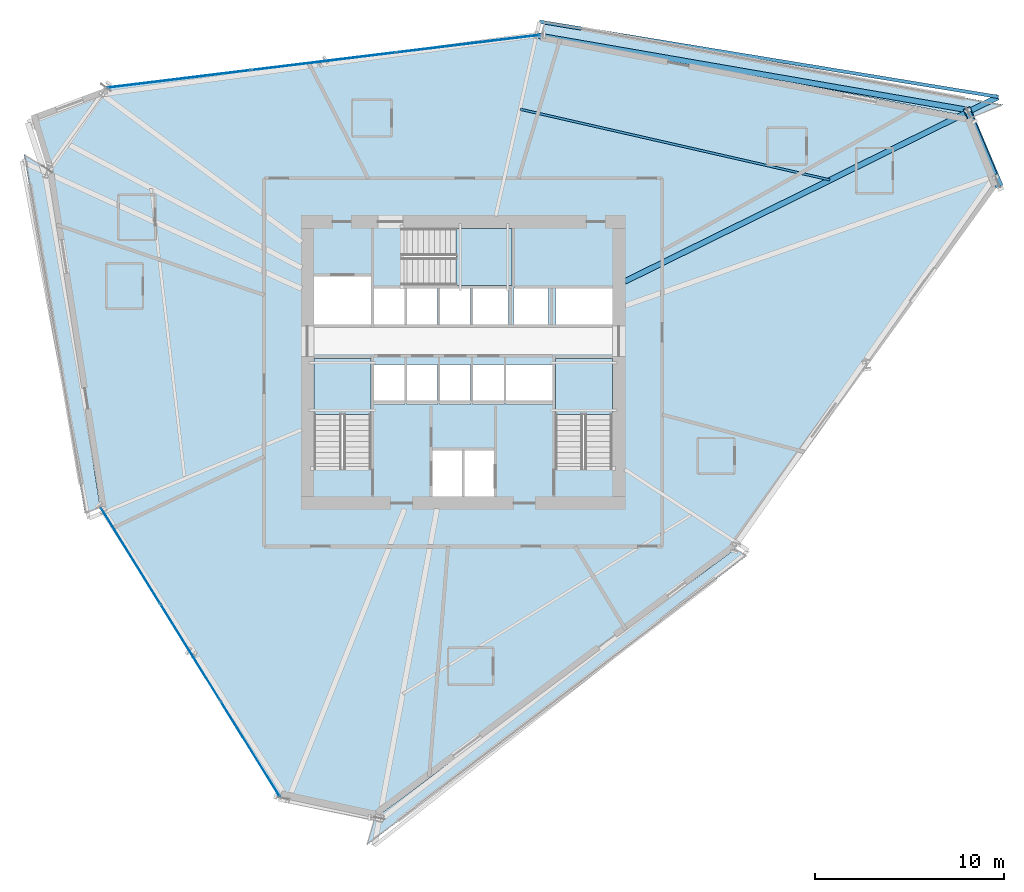
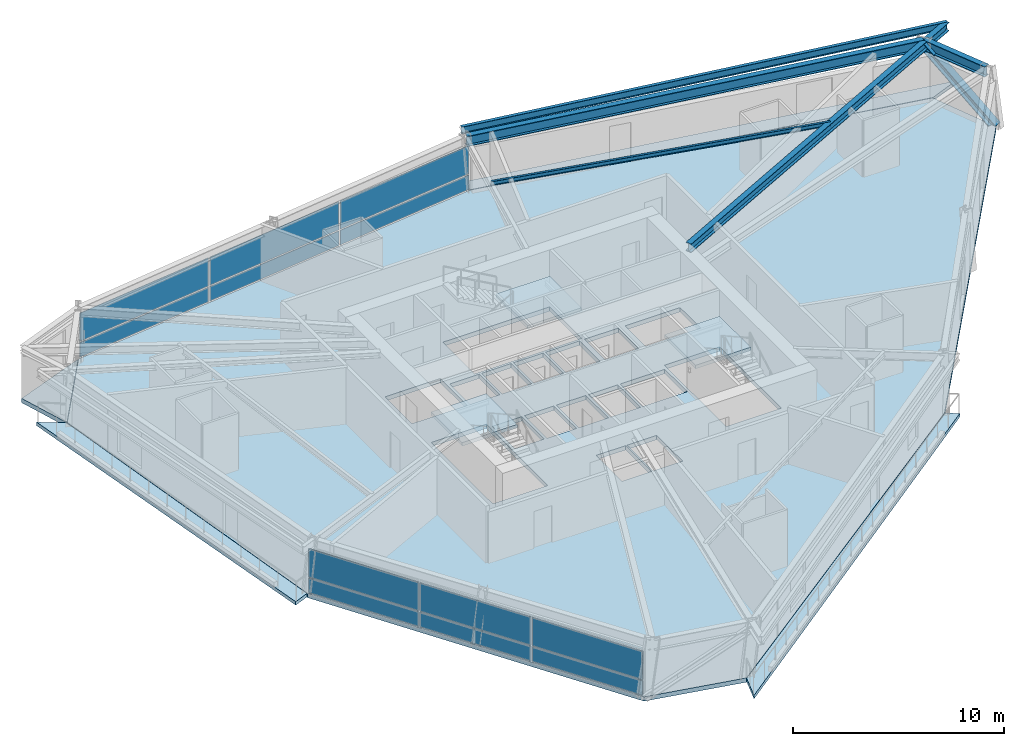
# One storey, part 9 of 18: 12 plates, 8 slabs, 5 beams, 1 member, 5 elements without a shape of their own.
"""IFC4 building model written with IfcOpenShell, lengths in metres."""

from ifc_helpers import new_model, si_unit, direction, frame, origin, origin_2d, place, context, subcontext, project, spatial, polyline, rectangle, i_section, outline, extrude, source, transform, mapped, material, layer, layer_set, material_profile, profile_set, type_object, element, aggregate, save


model = new_model("IFC4")

# Units and contexts
model_context = context("Model", 3, precision=1e-05, world=origin(), true_north=direction((0.0, 1.0)))
body_context = subcontext(model_context, "Body", "Model", "MODEL_VIEW")
ifc_project = project(units=[si_unit("LENGTHUNIT", "METRE"), si_unit("AREAUNIT", "SQUARE_METRE"), si_unit("VOLUMEUNIT", "CUBIC_METRE"), si_unit("PLANEANGLEUNIT", "RADIAN"), si_unit("MASSUNIT", "GRAM", prefix="KILO")], contexts=[model_context])

# Site, building, storey
site_placement = place(None, origin())
site = spatial("IfcSite", under=ifc_project, at=site_placement, CompositionType="ELEMENT")
building_placement = place(site_placement, origin())
building = spatial("IfcBuilding", under=site, at=building_placement, Name="Olszyna Solenne Hotel", CompositionType="ELEMENT")
storey_placement = place(building_placement, frame((0.0, 0.0, 123.449951171875)))
storey = spatial("IfcBuildingStorey", under=building, at=storey_placement, Name="L32", CompositionType="ELEMENT", Elevation=123.449951171875)

# Beams
ifc_material_1 = material(Name="Steel S355J2", Category="steel")
ifc_material_profile_1 = material_profile(ifc_material_1, i_section(OverallWidth=0.300048828125, OverallDepth=0.60009765625, WebThickness=0.015380859375, FlangeThickness=0.030029296875, at=origin_2d()), Name="HEB 600", Category="load-bearing")
ifc_profile_set_1 = profile_set([ifc_material_profile_1], Name="Steel S355J2")
beam_type_1 = type_object("IfcBeamType", Name="BM-S2", PredefinedType="BEAM", material=ifc_profile_set_1)
shared_shape_1 = source(origin(), body_context, "Body", "SweptSolid", [
    extrude(i_section(OverallWidth=0.300048828125, OverallDepth=0.60009765625, WebThickness=0.015380859375, FlangeThickness=0.030029296875, at=origin_2d()), origin(), (0.0, 0.0, 1.0), 3.6689453125),
])
beam_1_placement = place(storey_placement, frame((66.141357421875, 36.530029296875, 3.0), z_axis=(-0.385139776501, 0.922858251606, 0.0), x_axis=(-0.922858251606, -0.385139776501, 0.0)))
element("IfcBeam", 1, at=beam_1_placement, inside=storey, type_object=beam_type_1, Name="Perimeter spandrel beam BM-S2 B-L32-0957", PredefinedType="BEAM", context=body_context, shape_type="MappedRepresentation", body=[
    mapped(shared_shape_1, transform((0.0, 0.0, 0.0), x_axis=(1.0, 0.0, 0.0), y_axis=(0.0, 1.0, 0.0), z_axis=(0.0, 0.0, 1.0), scale=1.0)),
])
shared_shape_2 = source(origin(), body_context, "Body", "SweptSolid", [
    extrude(i_section(OverallWidth=0.300048828125, OverallDepth=0.60009765625, WebThickness=0.015380859375, FlangeThickness=0.030029296875, at=origin_2d()), origin(), (0.0, 0.0, 1.0), 23.07763671875),
])
beam_2_placement = place(storey_placement, frame((64.64599609375, 39.9814453125, 3.0), z_axis=(-0.985342299699, 0.170588840269, 0.0), x_axis=(-0.170588840269, -0.985342299699, 0.0)))
element("IfcBeam", 2, at=beam_2_placement, inside=storey, type_object=beam_type_1, Name="Perimeter spandrel beam BM-S2 B-L32-0958", PredefinedType="BEAM", context=body_context, shape_type="MappedRepresentation", body=[
    mapped(shared_shape_2, transform((0.0, 0.0, 0.0), x_axis=(1.0, 0.0, 0.0), y_axis=(0.0, 1.0, 0.0), z_axis=(0.0, 0.0, 1.0), scale=1.0)),
])
ifc_material_profile_2 = material_profile(ifc_material_1, i_section(OverallWidth=0.300048828125, OverallDepth=0.489990234375, WebThickness=0.011962890625, FlangeThickness=0.02294921875, at=origin_2d()), Name="HEA 500", Category="load-bearing")
ifc_profile_set_2 = profile_set([ifc_material_profile_2], Name="Steel S355J2")
beam_type_2 = type_object("IfcBeamType", Name="BM-G1", PredefinedType="BEAM", material=ifc_profile_set_2)
shared_shape_3 = source(origin(), body_context, "Body", "SweptSolid", [
    extrude(i_section(OverallWidth=0.300048828125, OverallDepth=0.489990234375, WebThickness=0.011962890625, FlangeThickness=0.02294921875, at=origin_2d()), origin(), (0.0, 0.0, 1.0), 22.055419921875),
])
beam_3_placement = place(storey_placement, frame((66.32763671875, 40.656005859375, 3.054931640625), z_axis=(-0.896478816914, -0.443086595175, 0.0), x_axis=(0.443086595175, -0.896478816914, 0.0)))
element("IfcBeam", 3, at=beam_3_placement, inside=storey, type_object=beam_type_2, Name="Radial floor girder BM-G1 B-L32-0970", PredefinedType="BEAM", context=body_context, shape_type="MappedRepresentation", body=[
    mapped(shared_shape_3, transform((0.0, 0.0, 0.0), x_axis=(1.0, 0.0, 0.0), y_axis=(0.0, 1.0, 0.0), z_axis=(0.0, 0.0, 1.0), scale=1.0)),
])
ifc_material_profile_3 = material_profile(ifc_material_1, i_section(OverallWidth=0.1201171875, OverallDepth=0.239990234375, WebThickness=0.006103515625, FlangeThickness=0.009765625, at=origin_2d()), Name="IPE 240", Category="load-bearing")
ifc_profile_set_3 = profile_set([ifc_material_profile_3], Name="Steel S355J2")
beam_type_3 = type_object("IfcBeamType", Name="JS-03", PredefinedType="JOIST", material=ifc_profile_set_3)
shared_shape_4 = source(origin(), body_context, "Body", "SweptSolid", [
    extrude(i_section(OverallWidth=0.1201171875, OverallDepth=0.239990234375, WebThickness=0.006103515625, FlangeThickness=0.009765625, at=origin_2d()), origin(), (0.0, 0.0, 1.0), 16.8232421875),
])
beam_4_placement = place(storey_placement, frame((57.42041015625, 36.267578125, 3.179931640625), z_axis=(-0.974939322982, 0.222470934063, 0.0), x_axis=(-0.222470934063, -0.974939322982, 0.0)))
element("IfcBeam", 4, at=beam_4_placement, inside=storey, type_object=beam_type_3, Name="Secondary composite floor joist JS-03 B-L32-0981", PredefinedType="JOIST", context=body_context, shape_type="MappedRepresentation", body=[
    mapped(shared_shape_4, transform((0.0, 0.0, 0.0), x_axis=(1.0, 0.0, 0.0), y_axis=(0.0, 1.0, 0.0), z_axis=(0.0, 0.0, 1.0), scale=1.0)),
])
ifc_material_profile_4 = material_profile(ifc_material_1, i_section(OverallWidth=0.179931640625, OverallDepth=0.39990234375, WebThickness=0.008544921875, FlangeThickness=0.013427734375, at=origin_2d()), Name="IPE 400", Category="load-bearing")
ifc_profile_set_4 = profile_set([ifc_material_profile_4], Name="Steel S355J2")
beam_type_4 = type_object("IfcBeamType", Name="BM-F5", PredefinedType="BEAM", material=ifc_profile_set_4)
shared_shape_5 = source(origin(), body_context, "Body", "SweptSolid", [
    extrude(i_section(OverallWidth=0.179931640625, OverallDepth=0.39990234375, WebThickness=0.008544921875, FlangeThickness=0.013427734375, at=origin_2d()), origin(), (0.0, 0.0, 1.0), 24.62451171875),
])
beam_5_placement = place(storey_placement, frame((66.345458984375, 40.664794921875, 3.10009765625), z_axis=(-0.986827483472, 0.161776135029, 0.0), x_axis=(-0.161776135029, -0.986827483472, 0.0)))
element("IfcBeam", 5, at=beam_5_placement, inside=storey, type_object=beam_type_4, Name="Loggia outer edge beam BM-F5 B-L32-0984", PredefinedType="BEAM", context=body_context, shape_type="MappedRepresentation", body=[
    mapped(shared_shape_5, transform((0.0, 0.0, 0.0), x_axis=(1.0, 0.0, 0.0), y_axis=(0.0, 1.0, 0.0), z_axis=(0.0, 0.0, 1.0), scale=1.0)),
])

# Member
ifc_material_2 = material(Name="Steel S460M", Category="steel")
ifc_material_profile_5 = material_profile(ifc_material_2, i_section(OverallWidth=0.406005859375, OverallDepth=0.416015625, WebThickness=0.026611328125, FlangeThickness=0.04150390625, at=origin_2d()), Name="HD 400x382", Category="load-bearing")
ifc_profile_set_5 = profile_set([ifc_material_profile_5], Name="Steel S460M")
member_type = type_object("IfcMemberType", Name="BR-T2", PredefinedType="BRACE", material=ifc_profile_set_5)
shared_shape_6 = source(origin(), body_context, "Body", "SweptSolid", [
    extrude(i_section(OverallWidth=0.406005859375, OverallDepth=0.416015625, WebThickness=0.026611328125, FlangeThickness=0.04150390625, at=origin_2d()), origin(), (0.0, 0.0, 1.0), 5.200439453125),
])
member_placement = place(storey_placement, frame((66.364013671875, 36.0302734375, 0.010009765625), z_axis=(-0.319000878331, 0.757809003388, 0.569178314773), x_axis=(-0.921668689842, -0.387977868138, 0.0)))
element("IfcMember", 6, at=member_placement, inside=storey, type_object=member_type, Name="Perimeter braced-tube diagonal BR-T2 BR-L32-1", PredefinedType="BRACE", context=body_context, shape_type="MappedRepresentation", body=[
    mapped(shared_shape_6, transform((0.0, 0.0, 0.0), x_axis=(1.0, 0.0, 0.0), y_axis=(0.0, 1.0, 0.0), z_axis=(0.0, 0.0, 1.0), scale=1.0)),
])

# Stair, slab
ifc_material_3 = material(Name="Concrete C40/50", Category="concrete")
stair_type = type_object("IfcStairType", Name="STR-C1", PredefinedType="TWO_QUARTER_WINDING_STAIR", material=ifc_material_3)
stair_1_placement = place(storey_placement, origin())
stair_1 = element("IfcStair", 7, at=stair_1_placement, inside=storey, type_object=stair_type, Name="L32 ST1", PredefinedType="TWO_QUARTER_WINDING_STAIR")
ifc_layer_1 = layer(ifc_material_3, 0.18994140625, Name="Concrete C40/50")
ifc_layer_set_1 = layer_set([ifc_layer_1], Name="Concrete C40/50")
slab_type_1 = type_object("IfcSlabType", Name="SL-LN190", PredefinedType="LANDING", material=ifc_layer_set_1)
slab_1_placement = place(storey_placement, frame((0.0, 0.0, 1.574951171875)))
slab_1 = element("IfcSlab", 8, at=slab_1_placement, type_object=slab_type_1, Name="ST1 landing 1", PredefinedType="LANDING", context=body_context, shape_type="SweptSolid", body=[
    extrude(outline(polyline([(33.1201171875, 23.85009765625), (33.1201171875, 26.800048828125), (30.10009765625, 26.800048828125), (30.10009765625, 23.85009765625), (33.1201171875, 23.85009765625)])), origin(), (0.0, 0.0, 1.0), 0.2001953125),
])
aggregate(stair_1, [slab_1])

stair_2_placement = place(storey_placement, origin())
stair_2 = element("IfcStair", 9, at=stair_2_placement, inside=storey, type_object=stair_type, Name="L32 ST2", PredefinedType="TWO_QUARTER_WINDING_STAIR")
slab_2_placement = place(storey_placement, frame((0.0, 0.0, 1.574951171875)))
slab_2 = element("IfcSlab", 10, at=slab_2_placement, type_object=slab_type_1, Name="ST2 landing 1", PredefinedType="LANDING", context=body_context, shape_type="SweptSolid", body=[
    extrude(outline(polyline([(45.89990234375, 23.85009765625), (45.89990234375, 26.800048828125), (42.8798828125, 26.800048828125), (42.8798828125, 23.85009765625), (45.89990234375, 23.85009765625)])), origin(), (0.0, 0.0, 1.0), 0.2001953125),
])
aggregate(stair_2, [slab_2])

stair_3_placement = place(storey_placement, origin())
stair_3 = element("IfcStair", 11, at=stair_3_placement, inside=storey, type_object=stair_type, Name="L32 ST3", PredefinedType="TWO_QUARTER_WINDING_STAIR")
slab_3_placement = place(storey_placement, frame((0.0, 0.0, 1.574951171875)))
slab_3 = element("IfcSlab", 12, at=slab_3_placement, type_object=slab_type_1, Name="ST3 landing 1", PredefinedType="LANDING", context=body_context, shape_type="SweptSolid", body=[
    extrude(outline(polyline([(37.6298828125, 30.679931640625), (40.580078125, 30.679931640625), (40.580078125, 33.699951171875), (37.6298828125, 33.699951171875), (37.6298828125, 30.679931640625)])), origin(), (0.0, 0.0, 1.0), 0.2001953125),
])
aggregate(stair_3, [slab_3])

# Slabs
ifc_material_4 = material(Name="Precast concrete C45/55", Category="concrete")
ifc_layer_2 = layer(ifc_material_4, 0.199951171875, Name="Precast concrete C45/55")
ifc_layer_set_2 = layer_set([ifc_layer_2], Name="Precast concrete C45/55")
slab_type_2 = type_object("IfcSlabType", Name="SL-LOG200", PredefinedType="FLOOR", material=ifc_layer_set_2)
slab_4_placement = place(storey_placement, frame((0.0, 0.0, -0.199951171875)))
element("IfcSlab", 13, at=slab_4_placement, inside=storey, type_object=slab_type_2, Name="Exterior loggia balcony slab SL-L32-LG1", PredefinedType="FLOOR", context=body_context, shape_type="SweptSolid", body=[
    extrude(outline(polyline([(42.1357421875, 43.966064453125), (64.948486328125, 39.599365234375), (64.9501953125, 39.59912109375), (64.951416015625, 39.5986328125), (64.952880859375, 39.597900390625), (64.9541015625, 39.59716796875), (64.955322265625, 39.59619140625), (64.95654296875, 39.59521484375), (64.95751953125, 39.593994140625), (64.958251953125, 39.593017578125), (64.958984375, 39.591552734375), (64.959716796875, 39.59033203125), (66.5966796875, 40.25244140625), (42.34033203125, 44.668212890625), (42.1357421875, 43.966064453125)])), origin(), (0.0, 0.0, 1.0), 0.199951171875),
])
slab_5_placement = place(storey_placement, frame((0.0, 0.0, -0.199951171875)))
element("IfcSlab", 14, at=slab_5_placement, inside=storey, type_object=slab_type_2, Name="Exterior loggia balcony slab SL-L32-LG2", PredefinedType="FLOOR", context=body_context, shape_type="SweptSolid", body=[
    extrude(outline(polyline([(18.768798828125, 18.9345703125), (18.7685546875, 18.93505859375), (18.76806640625, 18.936279296875), (18.767822265625, 18.93798828125), (15.9560546875, 36.838134765625), (15.951416015625, 36.853515625), (14.7373046875, 37.607421875), (17.95703125, 18.606201171875), (18.768798828125, 18.9345703125)])), origin(), (0.0, 0.0, 1.0), 0.199951171875),
])
slab_6_placement = place(storey_placement, frame((0.0, 0.0, -0.199951171875)))
element("IfcSlab", 15, at=slab_6_placement, inside=storey, type_object=slab_type_2, Name="Exterior loggia balcony slab SL-L32-LG3", PredefinedType="FLOOR", context=body_context, shape_type="SweptSolid", body=[
    extrude(outline(polyline([(52.4130859375, 16.72119140625), (52.41259765625, 16.720458984375), (52.41162109375, 16.71923828125), (52.410400390625, 16.71826171875), (52.409423828125, 16.71728515625), (33.329833984375, 2.452392578125), (33.32861328125, 2.45166015625), (33.327392578125, 2.450927734375), (33.326171875, 2.4501953125), (33.32470703125, 2.449951171875), (33.323486328125, 2.44970703125), (33.322021484375, 2.449462890625), (33.320556640625, 2.449462890625), (33.319091796875, 2.449462890625), (33.31787109375, 2.44970703125), (33.316650390625, 2.449951171875), (32.9033203125, 1.03076171875), (53.01708984375, 16.34619140625), (52.4130859375, 16.72119140625)])), origin(), (0.0, 0.0, 1.0), 0.199951171875),
])
ifc_material_5 = material(Name="Concrete C50/60", Category="concrete")
ifc_layer_3 = layer(ifc_material_5, 0.25, Name="Concrete C50/60")
ifc_layer_set_3 = layer_set([ifc_layer_3], Name="Concrete C50/60")
slab_type_3 = type_object("IfcSlabType", Name="SL-TW250", PredefinedType="FLOOR", material=ifc_layer_set_3)
slab_7_placement = place(storey_placement, frame((0.0, 0.0, -0.25)))
element("IfcSlab", 16, at=slab_7_placement, inside=storey, type_object=slab_type_3, Name="Floor slab SL-TW250 SL-L32-01", PredefinedType="FLOOR", context=body_context, shape_type="SweptSolid", body=[
    extrude(outline(polyline([(66.364013671875, 36.0302734375), (64.94580078125, 39.584716796875), (42.131591796875, 43.951416015625), (19.0732421875, 41.143798828125), (15.970703125, 36.841552734375), (18.78271484375, 18.940185546875), (28.3251953125, 3.535400390625), (33.32080078125, 2.46435546875), (52.400390625, 16.729248046875), (66.364013671875, 36.0302734375)]), holes=[polyline([(30.10009765625, 20.949951171875), (33.1201171875, 20.949951171875), (33.1201171875, 26.800048828125), (30.10009765625, 26.800048828125), (30.10009765625, 20.949951171875)]), polyline([(42.8798828125, 20.949951171875), (45.89990234375, 20.949951171875), (45.89990234375, 26.800048828125), (42.8798828125, 26.800048828125), (42.8798828125, 20.949951171875)]), polyline([(34.72998046875, 30.679931640625), (40.580078125, 30.679931640625), (40.580078125, 33.699951171875), (34.72998046875, 33.699951171875), (34.72998046875, 30.679931640625)]), polyline([(36.340087890625, 19.5), (37.9599609375, 19.5), (37.9599609375, 21.9599609375), (36.340087890625, 21.9599609375), (36.340087890625, 19.5)]), polyline([(38.0400390625, 19.5), (39.659912109375, 19.5), (39.659912109375, 21.9599609375), (38.0400390625, 21.9599609375), (38.0400390625, 19.5)]), polyline([(30.10009765625, 28.60009765625), (33.1201171875, 28.60009765625), (33.1201171875, 31.159912109375), (30.10009765625, 31.159912109375), (30.10009765625, 28.60009765625)]), polyline([(33.280029296875, 24.360107421875), (34.89990234375, 24.360107421875), (34.89990234375, 26.5), (33.280029296875, 26.5), (33.280029296875, 24.360107421875)]), polyline([(35.030029296875, 24.360107421875), (36.64990234375, 24.360107421875), (36.64990234375, 26.5), (35.030029296875, 26.5), (35.030029296875, 24.360107421875)]), polyline([(36.780029296875, 24.360107421875), (38.39990234375, 24.360107421875), (38.39990234375, 26.5), (36.780029296875, 26.5), (36.780029296875, 24.360107421875)]), polyline([(38.530029296875, 24.360107421875), (40.14990234375, 24.360107421875), (40.14990234375, 26.5), (38.530029296875, 26.5), (38.530029296875, 24.360107421875)]), polyline([(40.280029296875, 24.360107421875), (42.719970703125, 24.360107421875), (42.719970703125, 26.5), (40.280029296875, 26.5), (40.280029296875, 24.360107421875)]), polyline([(33.280029296875, 28.60009765625), (34.89990234375, 28.60009765625), (34.89990234375, 30.550048828125), (33.280029296875, 30.550048828125), (33.280029296875, 28.60009765625)]), polyline([(35.030029296875, 28.60009765625), (36.64990234375, 28.60009765625), (36.64990234375, 30.550048828125), (35.030029296875, 30.550048828125), (35.030029296875, 28.60009765625)]), polyline([(36.780029296875, 28.60009765625), (38.39990234375, 28.60009765625), (38.39990234375, 30.550048828125), (36.780029296875, 30.550048828125), (36.780029296875, 28.60009765625)]), polyline([(38.530029296875, 28.60009765625), (40.389892578125, 28.60009765625), (40.389892578125, 30.550048828125), (38.530029296875, 30.550048828125), (38.530029296875, 28.60009765625)]), polyline([(40.659912109375, 28.60009765625), (42.52001953125, 28.60009765625), (42.52001953125, 30.550048828125), (40.659912109375, 30.550048828125), (40.659912109375, 28.60009765625)]), polyline([(42.8798828125, 28.60009765625), (45.89990234375, 28.60009765625), (45.89990234375, 30.550048828125), (42.8798828125, 30.550048828125), (42.8798828125, 28.60009765625)])]), origin(), (0.0, 0.0, 1.0), 0.25),
])
slab_8_placement = place(storey_placement, frame((0.0, 0.0, -0.25)))
element("IfcSlab", 17, at=slab_8_placement, inside=storey, type_object=slab_type_3, Name="Faceted glass-prism floor slab SL-L32-PR", PredefinedType="FLOOR", context=body_context, shape_type="SweptSolid", body=[
    extrude(outline(polyline([(15.967041015625, 36.853515625), (19.056396484375, 41.137451171875), (15.109375, 39.664794921875), (15.967041015625, 36.853515625)])), origin(), (0.0, 0.0, 1.0), 0.25),
])

# Curtain wall, plates
ifc_material_6 = material(Name="Anodised bronze aluminium", Category="aluminium")
curtain_wall_type = type_object("IfcCurtainWallType", Name="CW-SYS-3", PredefinedType="NOTDEFINED", material=ifc_material_6)
curtain_wall_1_placement = place(storey_placement, origin())
curtain_wall_1 = element("IfcCurtainWall", 18, at=curtain_wall_1_placement, inside=storey, type_object=curtain_wall_type, Name="Unitised curtain wall CW-SYS-3 CW-L32-01", PredefinedType="NOTDEFINED")
ifc_material_7 = material(Name="Terracotta cladding", Category="masonry")
plate_type_1 = type_object("IfcPlateType", Name="PN-SP1", PredefinedType="CURTAIN_PANEL", material=ifc_material_7)
shared_shape_7 = source(origin(), body_context, "Body", "SweptSolid", [
    extrude(rectangle(XDim=5.927734375, YDim=0.035888671875, at=origin_2d()), origin(), (0.0, 0.0, 1.0), 0.83740234375),
])
plate_1_placement = place(storey_placement, frame((20.3828125, 16.356689453125, 0.0751953125), z_axis=(0.0, 0.0, 1.0), x_axis=(0.52660175733, -0.850112103888, 0.0)))
plate_1 = element("IfcPlate", 19, at=plate_1_placement, type_object=plate_type_1, Name="Curtain-wall panel PN-SP1 CP-L32-01-01", PredefinedType="CURTAIN_PANEL", context=body_context, shape_type="MappedRepresentation", body=[
    mapped(shared_shape_7, transform((0.0, 0.0, 0.0), x_axis=(1.0, 0.0, 0.0), y_axis=(0.0, 1.0, 0.0), z_axis=(0.0, 0.0, 1.0), scale=1.0)),
])
plate_2_placement = place(storey_placement, frame((26.724853515625, 6.118896484375, 0.0751953125), z_axis=(0.0, 0.0, 1.0), x_axis=(0.52660175733, -0.850112103888, 0.0)))
plate_2 = element("IfcPlate", 20, at=plate_2_placement, type_object=plate_type_1, Name="Curtain-wall panel PN-SP1 CP-L32-01-05", PredefinedType="CURTAIN_PANEL", context=body_context, shape_type="MappedRepresentation", body=[
    mapped(shared_shape_7, transform((0.0, 0.0, 0.0), x_axis=(1.0, 0.0, 0.0), y_axis=(0.0, 1.0, 0.0), z_axis=(0.0, 0.0, 1.0), scale=1.0)),
])
ifc_material_8 = material(Name="Low-E triple glazing", Category="glass")
plate_type_2 = type_object("IfcPlateType", Name="PN-GL1", PredefinedType="CURTAIN_PANEL", material=ifc_material_8)
shared_shape_8 = source(origin(), body_context, "Body", "SweptSolid", [
    extrude(rectangle(XDim=5.927734375, YDim=0.035888671875, at=origin_2d()), origin(), (0.0, 0.0, 1.0), 1.62939453125),
])
plate_3_placement = place(storey_placement, frame((20.3828125, 16.356689453125, 0.987548828125), z_axis=(0.0, 0.0, 1.0), x_axis=(0.52660175733, -0.850112103888, 0.0)))
plate_3 = element("IfcPlate", 21, at=plate_3_placement, type_object=plate_type_2, Name="Curtain-wall panel PN-GL1 CP-L32-01-02", PredefinedType="CURTAIN_PANEL", context=body_context, shape_type="MappedRepresentation", body=[
    mapped(shared_shape_8, transform((0.0, 0.0, 0.0), x_axis=(1.0, 0.0, 0.0), y_axis=(0.0, 1.0, 0.0), z_axis=(0.0, 0.0, 1.0), scale=1.0)),
])
plate_4_placement = place(storey_placement, frame((26.724853515625, 6.118896484375, 0.987548828125), z_axis=(0.0, 0.0, 1.0), x_axis=(0.52660175733, -0.850112103888, 0.0)))
plate_4 = element("IfcPlate", 22, at=plate_4_placement, type_object=plate_type_2, Name="Curtain-wall panel PN-GL1 CP-L32-01-06", PredefinedType="CURTAIN_PANEL", context=body_context, shape_type="MappedRepresentation", body=[
    mapped(shared_shape_8, transform((0.0, 0.0, 0.0), x_axis=(1.0, 0.0, 0.0), y_axis=(0.0, 1.0, 0.0), z_axis=(0.0, 0.0, 1.0), scale=1.0)),
])
shared_shape_9 = source(origin(), body_context, "Body", "SweptSolid", [
    extrude(rectangle(XDim=5.96533203125, YDim=0.035888671875, at=origin_2d()), origin(), (0.0, 0.0, 1.0), 0.83740234375),
])
plate_5_placement = place(storey_placement, frame((23.553955078125, 11.23779296875, 0.0751953125), z_axis=(0.0, 0.0, 1.0), x_axis=(0.52660175733, -0.850112103888, 0.0)))
plate_5 = element("IfcPlate", 23, at=plate_5_placement, type_object=plate_type_1, Name="Curtain-wall panel PN-SP1 CP-L32-01-03", PredefinedType="CURTAIN_PANEL", context=body_context, shape_type="MappedRepresentation", body=[
    mapped(shared_shape_9, transform((0.0, 0.0, 0.0), x_axis=(1.0, 0.0, 0.0), y_axis=(0.0, 1.0, 0.0), z_axis=(0.0, 0.0, 1.0), scale=1.0)),
])
shared_shape_10 = source(origin(), body_context, "Body", "SweptSolid", [
    extrude(rectangle(XDim=5.96533203125, YDim=0.035888671875, at=origin_2d()), origin(), (0.0, 0.0, 1.0), 1.62939453125),
])
plate_6_placement = place(storey_placement, frame((23.553955078125, 11.23779296875, 0.987548828125), z_axis=(0.0, 0.0, 1.0), x_axis=(0.52660175733, -0.850112103888, 0.0)))
plate_6 = element("IfcPlate", 24, at=plate_6_placement, type_object=plate_type_2, Name="Curtain-wall panel PN-GL1 CP-L32-01-04", PredefinedType="CURTAIN_PANEL", context=body_context, shape_type="MappedRepresentation", body=[
    mapped(shared_shape_10, transform((0.0, 0.0, 0.0), x_axis=(1.0, 0.0, 0.0), y_axis=(0.0, 1.0, 0.0), z_axis=(0.0, 0.0, 1.0), scale=1.0)),
])
aggregate(curtain_wall_1, [plate_1, plate_3, plate_5, plate_6, plate_2, plate_4])

curtain_wall_2_placement = place(storey_placement, origin())
curtain_wall_2 = element("IfcCurtainWall", 25, at=curtain_wall_2_placement, inside=storey, type_object=curtain_wall_type, Name="Unitised curtain wall CW-SYS-3 CW-L32-02", PredefinedType="NOTDEFINED")
shared_shape_11 = source(origin(), body_context, "Body", "SweptSolid", [
    extrude(rectangle(XDim=7.63037109375, YDim=0.035888671875, at=origin_2d()), origin(), (0.0, 0.0, 1.0), 0.83740234375),
])
plate_7_placement = place(storey_placement, frame((22.93505859375, 41.614013671875, 0.0751953125), z_axis=(0.0, 0.0, 1.0), x_axis=(0.992667462711, 0.120877245476, 0.0)))
plate_7 = element("IfcPlate", 26, at=plate_7_placement, type_object=plate_type_1, Name="Curtain-wall panel PN-SP1 CP-L32-02-01", PredefinedType="CURTAIN_PANEL", context=body_context, shape_type="MappedRepresentation", body=[
    mapped(shared_shape_11, transform((0.0, 0.0, 0.0), x_axis=(1.0, 0.0, 0.0), y_axis=(0.0, 1.0, 0.0), z_axis=(0.0, 0.0, 1.0), scale=1.0)),
])
plate_8_placement = place(storey_placement, frame((38.269775390625, 43.481201171875, 0.0751953125), z_axis=(0.0, 0.0, 1.0), x_axis=(0.992667462711, 0.120877245476, 0.0)))
plate_8 = element("IfcPlate", 27, at=plate_8_placement, type_object=plate_type_1, Name="Curtain-wall panel PN-SP1 CP-L32-02-05", PredefinedType="CURTAIN_PANEL", context=body_context, shape_type="MappedRepresentation", body=[
    mapped(shared_shape_11, transform((0.0, 0.0, 0.0), x_axis=(1.0, 0.0, 0.0), y_axis=(0.0, 1.0, 0.0), z_axis=(0.0, 0.0, 1.0), scale=1.0)),
])
shared_shape_12 = source(origin(), body_context, "Body", "SweptSolid", [
    extrude(rectangle(XDim=7.63037109375, YDim=0.035888671875, at=origin_2d()), origin(), (0.0, 0.0, 1.0), 1.62939453125),
])
plate_9_placement = place(storey_placement, frame((22.93505859375, 41.614013671875, 0.987548828125), z_axis=(0.0, 0.0, 1.0), x_axis=(0.992667462711, 0.120877245476, 0.0)))
plate_9 = element("IfcPlate", 28, at=plate_9_placement, type_object=plate_type_2, Name="Curtain-wall panel PN-GL1 CP-L32-02-02", PredefinedType="CURTAIN_PANEL", context=body_context, shape_type="MappedRepresentation", body=[
    mapped(shared_shape_12, transform((0.0, 0.0, 0.0), x_axis=(1.0, 0.0, 0.0), y_axis=(0.0, 1.0, 0.0), z_axis=(0.0, 0.0, 1.0), scale=1.0)),
])
plate_10_placement = place(storey_placement, frame((38.269775390625, 43.481201171875, 0.987548828125), z_axis=(0.0, 0.0, 1.0), x_axis=(0.992667462711, 0.120877245476, 0.0)))
plate_10 = element("IfcPlate", 29, at=plate_10_placement, type_object=plate_type_2, Name="Curtain-wall panel PN-GL1 CP-L32-02-06", PredefinedType="CURTAIN_PANEL", context=body_context, shape_type="MappedRepresentation", body=[
    mapped(shared_shape_12, transform((0.0, 0.0, 0.0), x_axis=(1.0, 0.0, 0.0), y_axis=(0.0, 1.0, 0.0), z_axis=(0.0, 0.0, 1.0), scale=1.0)),
])
shared_shape_13 = source(origin(), body_context, "Body", "SweptSolid", [
    extrude(rectangle(XDim=7.667724609375, YDim=0.035888671875, at=origin_2d()), origin(), (0.0, 0.0, 1.0), 0.83740234375),
])
plate_11_placement = place(storey_placement, frame((30.602294921875, 42.547607421875, 0.0751953125), z_axis=(0.0, 0.0, 1.0), x_axis=(0.992667462711, 0.120877245476, 0.0)))
plate_11 = element("IfcPlate", 30, at=plate_11_placement, type_object=plate_type_1, Name="Curtain-wall panel PN-SP1 CP-L32-02-03", PredefinedType="CURTAIN_PANEL", context=body_context, shape_type="MappedRepresentation", body=[
    mapped(shared_shape_13, transform((0.0, 0.0, 0.0), x_axis=(1.0, 0.0, 0.0), y_axis=(0.0, 1.0, 0.0), z_axis=(0.0, 0.0, 1.0), scale=1.0)),
])
shared_shape_14 = source(origin(), body_context, "Body", "SweptSolid", [
    extrude(rectangle(XDim=7.667724609375, YDim=0.035888671875, at=origin_2d()), origin(), (0.0, 0.0, 1.0), 1.62939453125),
])
plate_12_placement = place(storey_placement, frame((30.602294921875, 42.547607421875, 0.987548828125), z_axis=(0.0, 0.0, 1.0), x_axis=(0.992667462711, 0.120877245476, 0.0)))
plate_12 = element("IfcPlate", 31, at=plate_12_placement, type_object=plate_type_2, Name="Curtain-wall panel PN-GL1 CP-L32-02-04", PredefinedType="CURTAIN_PANEL", context=body_context, shape_type="MappedRepresentation", body=[
    mapped(shared_shape_14, transform((0.0, 0.0, 0.0), x_axis=(1.0, 0.0, 0.0), y_axis=(0.0, 1.0, 0.0), z_axis=(0.0, 0.0, 1.0), scale=1.0)),
])
aggregate(curtain_wall_2, [plate_7, plate_9, plate_11, plate_12, plate_8, plate_10])

save(model, "model.ifc")
